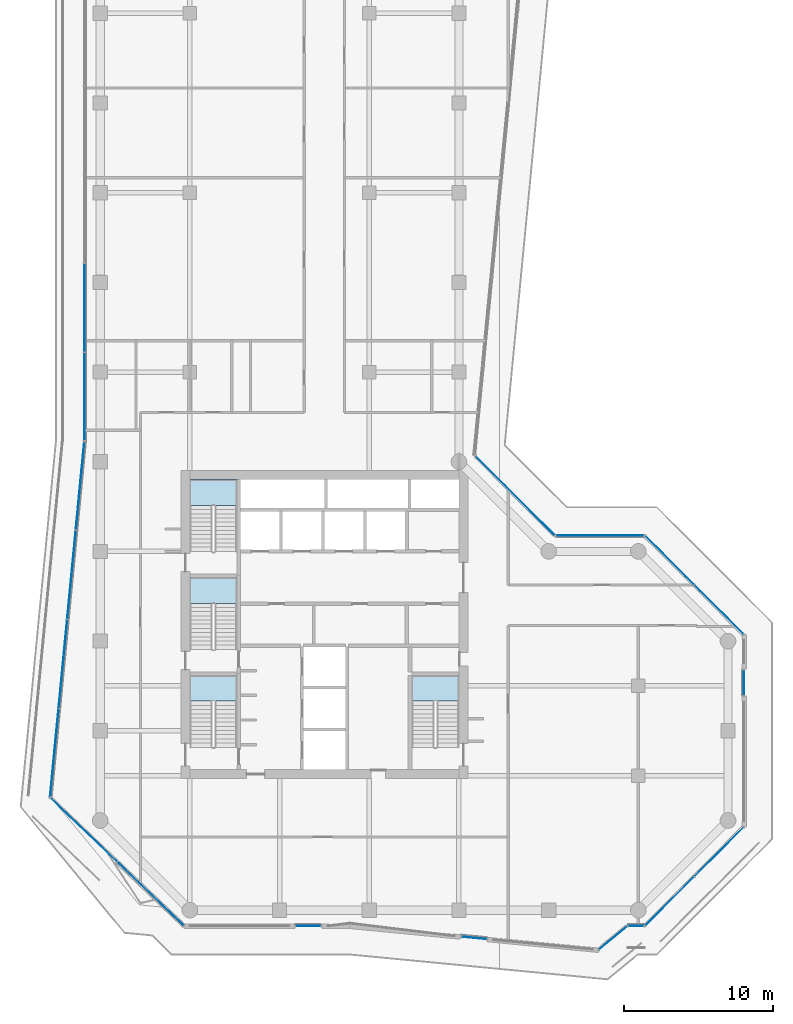
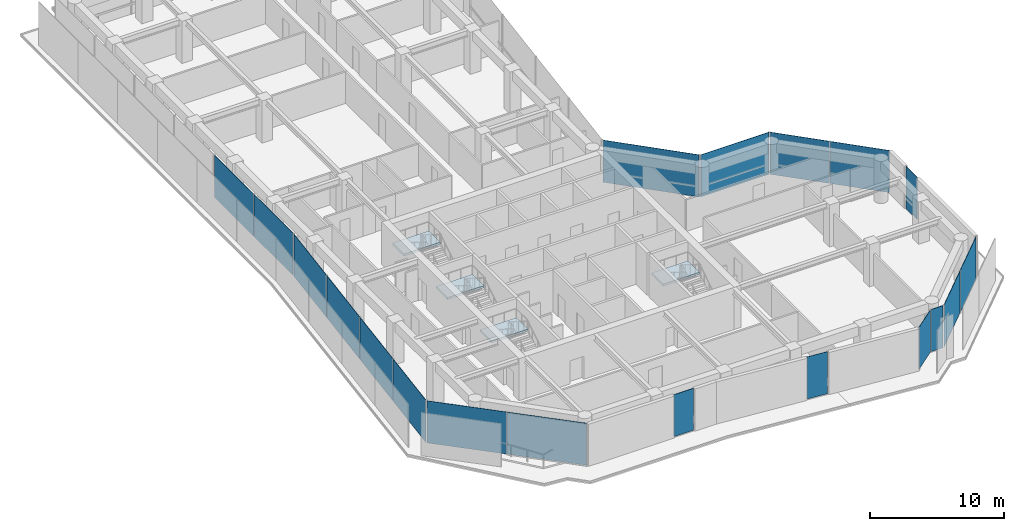
# One storey, part 17 of 23: 19 plates, 4 slabs, 16 elements without a shape of their own.
"""IFC4 building model written with IfcOpenShell, lengths in metres."""

from ifc_helpers import new_model, si_unit, direction, frame, origin, origin_2d, place, context, subcontext, project, spatial, polyline, rectangle, outline, extrude, material, layer, layer_set, type_object, element, aggregate, save


model = new_model("IFC4")

# Units and contexts
model_context = context("Model", 3, precision=1e-05, world=origin(), true_north=direction((0.0, 1.0)))
body_context = subcontext(model_context, "Body", "Model", "MODEL_VIEW")
ifc_project = project(units=[si_unit("LENGTHUNIT", "METRE"), si_unit("AREAUNIT", "SQUARE_METRE"), si_unit("VOLUMEUNIT", "CUBIC_METRE"), si_unit("PLANEANGLEUNIT", "RADIAN"), si_unit("MASSUNIT", "GRAM", prefix="KILO")], contexts=[model_context])

# Site, building, storey
site_placement = place(None, origin())
site = spatial("IfcSite", under=ifc_project, at=site_placement, CompositionType="ELEMENT")
building_placement = place(site_placement, origin())
building = spatial("IfcBuilding", under=site, at=building_placement, Name="Welwitschia Terrace Campus", CompositionType="ELEMENT")
storey_placement = place(building_placement, frame((0.0, 0.0, 146.60009765625)))
storey = spatial("IfcBuildingStorey", under=building, at=storey_placement, Name="L32", CompositionType="ELEMENT", Elevation=146.60009765625)

# Curtain wall, plates
ifc_material_1 = material(Name="Bronze anodised aluminium", Category="aluminium")
ifc_layer_1 = layer(ifc_material_1, 0.1201171875)
ifc_layer_set_1 = layer_set([ifc_layer_1], Name="Bronze anodised aluminium")
curtain_wall_type = type_object("IfcCurtainWallType", Name="Curtain wall CW2 tower 6000", PredefinedType="NOTDEFINED", material=ifc_layer_set_1)
curtain_wall_1_placement = place(storey_placement, origin())
curtain_wall_1 = element("IfcCurtainWall", 1, at=curtain_wall_1_placement, inside=storey, type_object=curtain_wall_type, Name="CW L32.0.0", PredefinedType="NOTDEFINED")
ifc_material_2 = material(Name="Tinted bronze-grey glass", Category="glass")
ifc_layer_2 = layer(ifc_material_2, 0.028076171875)
ifc_layer_set_2 = layer_set([ifc_layer_2], Name="Tinted bronze-grey glass")
plate_type = type_object("IfcPlateType", Name="Glass panel 28 tinted", PredefinedType="CURTAIN_PANEL", material=ifc_layer_set_2)
plate_1_placement = place(storey_placement, frame((-1.05810546875, 36.295654296875, -0.000244140625), z_axis=(0.0, 0.0, 1.0), x_axis=(0.0, -1.0, 0.0)))
plate_1 = element("IfcPlate", 2, at=plate_1_placement, type_object=plate_type, Name="Panel L32.0.0.4", PredefinedType="CURTAIN_PANEL", context=body_context, shape_type="SweptSolid", body=[
    extrude(rectangle(XDim=5.88720703125, YDim=0.028076171875, at=origin_2d()), origin(), (0.0, 0.0, 1.0), 3.85009765625),
])
plate_2_placement = place(storey_placement, frame((-1.05810546875, 30.363525390625, -0.000244140625), z_axis=(0.0, 0.0, 1.0), x_axis=(0.0, -1.0, 0.0)))
plate_2 = element("IfcPlate", 3, at=plate_2_placement, type_object=plate_type, Name="Panel L32.0.0.5", PredefinedType="CURTAIN_PANEL", context=body_context, shape_type="SweptSolid", body=[
    extrude(rectangle(XDim=5.857177734375, YDim=0.028076171875, at=origin_2d()), origin(), (0.0, 0.0, 1.0), 3.85009765625),
])
aggregate(curtain_wall_1, [plate_1, plate_2])

curtain_wall_2_placement = place(storey_placement, origin())
curtain_wall_2 = element("IfcCurtainWall", 4, at=curtain_wall_2_placement, inside=storey, type_object=curtain_wall_type, Name="CW L32.1.0", PredefinedType="NOTDEFINED")
plate_3_placement = place(storey_placement, frame((-1.346435546875, 24.378662109375, -0.000244140625), z_axis=(0.0, 0.0, 1.0), x_axis=(-0.09584575252, -0.995396198367, 0.0)))
plate_3 = element("IfcPlate", 5, at=plate_3_placement, type_object=plate_type, Name="Panel L32.1.0.0", PredefinedType="CURTAIN_PANEL", context=body_context, shape_type="SweptSolid", body=[
    extrude(rectangle(XDim=5.900390625, YDim=0.028076171875, at=origin_2d()), origin(), (0.0, 0.0, 1.0), 3.85009765625),
])
plate_4_placement = place(storey_placement, frame((-1.919189453125, 18.4306640625, -0.000244140625), z_axis=(0.0, 0.0, 1.0), x_axis=(-0.09584575252, -0.995396198367, 0.0)))
plate_4 = element("IfcPlate", 6, at=plate_4_placement, type_object=plate_type, Name="Panel L32.1.0.1", PredefinedType="CURTAIN_PANEL", context=body_context, shape_type="SweptSolid", body=[
    extrude(rectangle(XDim=5.930419921875, YDim=0.028076171875, at=origin_2d()), origin(), (0.0, 0.0, 1.0), 3.85009765625),
])
plate_5_placement = place(storey_placement, frame((-2.493408203125, 12.4677734375, -0.000244140625), z_axis=(0.0, 0.0, 1.0), x_axis=(-0.09584575252, -0.995396198367, 0.0)))
plate_5 = element("IfcPlate", 7, at=plate_5_placement, type_object=plate_type, Name="Panel L32.1.0.2", PredefinedType="CURTAIN_PANEL", context=body_context, shape_type="SweptSolid", body=[
    extrude(rectangle(XDim=5.930419921875, YDim=0.028076171875, at=origin_2d()), origin(), (0.0, 0.0, 1.0), 3.85009765625),
])
plate_6_placement = place(storey_placement, frame((-3.066162109375, 6.519775390625, -0.000244140625), z_axis=(0.0, 0.0, 1.0), x_axis=(-0.09584575252, -0.995396198367, 0.0)))
plate_6 = element("IfcPlate", 8, at=plate_6_placement, type_object=plate_type, Name="Panel L32.1.0.3", PredefinedType="CURTAIN_PANEL", context=body_context, shape_type="SweptSolid", body=[
    extrude(rectangle(XDim=5.900390625, YDim=0.028076171875, at=origin_2d()), origin(), (0.0, 0.0, 1.0), 3.85009765625),
])
aggregate(curtain_wall_2, [plate_3, plate_4, plate_5, plate_6])

curtain_wall_3_placement = place(storey_placement, origin())
curtain_wall_3 = element("IfcCurtainWall", 9, at=curtain_wall_3_placement, inside=storey, type_object=curtain_wall_type, Name="CW L32.2.0", PredefinedType="NOTDEFINED")
plate_7_placement = place(storey_placement, frame((-1.101318359375, 1.36767578125, -0.000244140625), z_axis=(0.0, 0.0, 1.0), x_axis=(0.722587544279, -0.691279423137, 0.0)))
plate_7 = element("IfcPlate", 10, at=plate_7_placement, type_object=plate_type, Name="Panel L32.2.0.0", PredefinedType="CURTAIN_PANEL", context=body_context, shape_type="SweptSolid", body=[
    extrude(rectangle(XDim=6.116943359375, YDim=0.028076171875, at=origin_2d()), origin(), (0.0, 0.0, 1.0), 3.85009765625),
])
plate_8_placement = place(storey_placement, frame((3.362060546875, -2.90234375, -0.000244140625), z_axis=(0.0, 0.0, 1.0), x_axis=(0.722587544279, -0.691279423137, 0.0)))
plate_8 = element("IfcPlate", 11, at=plate_8_placement, type_object=plate_type, Name="Panel L32.2.0.1", PredefinedType="CURTAIN_PANEL", context=body_context, shape_type="SweptSolid", body=[
    extrude(rectangle(XDim=6.116943359375, YDim=0.028076171875, at=origin_2d()), origin(), (0.0, 0.0, 1.0), 3.85009765625),
])
aggregate(curtain_wall_3, [plate_7, plate_8])

# Curtain wall, plate
curtain_wall_4_placement = place(storey_placement, origin())
curtain_wall_4 = element("IfcCurtainWall", 12, at=curtain_wall_4_placement, inside=storey, type_object=curtain_wall_type, Name="CW L32.3.S0", PredefinedType="NOTDEFINED")
plate_9_placement = place(storey_placement, frame((13.929443359375, -5.05810546875, -0.000244140625), z_axis=(0.0, 0.0, 1.0), x_axis=(1.0, 0.0, 0.0)))
plate_9 = element("IfcPlate", 13, at=plate_9_placement, type_object=plate_type, Name="Panel L32.3.S0.0", PredefinedType="CURTAIN_PANEL", context=body_context, shape_type="SweptSolid", body=[
    extrude(rectangle(XDim=1.679931640625, YDim=0.028076171875, at=origin_2d()), origin(), (0.0, 0.0, 1.0), 3.85009765625),
])
aggregate(curtain_wall_4, [plate_9])

curtain_wall_5_placement = place(storey_placement, origin())
curtain_wall_5 = element("IfcCurtainWall", 14, at=curtain_wall_5_placement, inside=storey, type_object=curtain_wall_type, Name="CW L32.4.S0", PredefinedType="NOTDEFINED")
plate_10_placement = place(storey_placement, frame((25.017578125, -5.85888671875, -0.000244140625), z_axis=(0.0, 0.0, 1.0), x_axis=(0.995396198367, -0.09584575252, 0.0)))
plate_10 = element("IfcPlate", 15, at=plate_10_placement, type_object=plate_type, Name="Panel L32.4.S0.0", PredefinedType="CURTAIN_PANEL", context=body_context, shape_type="SweptSolid", body=[
    extrude(rectangle(XDim=1.679931640625, YDim=0.028076171875, at=origin_2d()), origin(), (0.0, 0.0, 1.0), 3.85009765625),
])
aggregate(curtain_wall_5, [plate_10])

curtain_wall_6_placement = place(storey_placement, origin())
curtain_wall_6 = element("IfcCurtainWall", 16, at=curtain_wall_6_placement, inside=storey, type_object=curtain_wall_type, Name="CW L32.5.0", PredefinedType="NOTDEFINED")
plate_11_placement = place(storey_placement, frame((34.305908203125, -5.85888671875, -0.000244140625), z_axis=(0.0, 0.0, 1.0), x_axis=(0.771624583388, 0.636078220278, 0.0)))
plate_11 = element("IfcPlate", 17, at=plate_11_placement, type_object=plate_type, Name="Panel L32.5.0.0", PredefinedType="CURTAIN_PANEL", context=body_context, shape_type="SweptSolid", body=[
    extrude(rectangle(XDim=2.39794921875, YDim=0.028076171875, at=origin_2d()), origin(), (0.0, 0.0, 1.0), 3.85009765625),
])
aggregate(curtain_wall_6, [plate_11])

curtain_wall_7_placement = place(storey_placement, origin())
curtain_wall_7 = element("IfcCurtainWall", 18, at=curtain_wall_7_placement, inside=storey, type_object=curtain_wall_type, Name="CW L32.6.0", PredefinedType="NOTDEFINED")
plate_12_placement = place(storey_placement, frame((35.85791015625, -5.05810546875, -0.000244140625), z_axis=(0.0, 0.0, 1.0), x_axis=(1.0, 0.0, 0.0)))
plate_12 = element("IfcPlate", 19, at=plate_12_placement, type_object=plate_type, Name="Panel L32.6.0.0", PredefinedType="CURTAIN_PANEL", context=body_context, shape_type="SweptSolid", body=[
    extrude(rectangle(XDim=1.040771484375, YDim=0.028076171875, at=origin_2d()), origin(), (0.0, 0.0, 1.0), 3.85009765625),
])
aggregate(curtain_wall_7, [plate_12])

# Curtain wall, plates
curtain_wall_8_placement = place(storey_placement, origin())
curtain_wall_8 = element("IfcCurtainWall", 20, at=curtain_wall_8_placement, inside=storey, type_object=curtain_wall_type, Name="CW L32.7.0", PredefinedType="NOTDEFINED")
plate_13_placement = place(storey_placement, frame((38.103759765625, -3.392333984375, -0.000244140625), z_axis=(0.0, 0.0, 1.0), x_axis=(0.707106781187, 0.707106781187, 0.0)))
plate_13 = element("IfcPlate", 21, at=plate_13_placement, type_object=plate_type, Name="Panel L32.7.0.0", PredefinedType="CURTAIN_PANEL", context=body_context, shape_type="SweptSolid", body=[
    extrude(rectangle(XDim=4.5908203125, YDim=0.028076171875, at=origin_2d()), origin(), (0.0, 0.0, 1.0), 3.85009765625),
])
plate_14_placement = place(storey_placement, frame((41.392333984375, -0.103759765625, -0.000244140625), z_axis=(0.0, 0.0, 1.0), x_axis=(0.707106781187, 0.707106781187, 0.0)))
plate_14 = element("IfcPlate", 22, at=plate_14_placement, type_object=plate_type, Name="Panel L32.7.0.1", PredefinedType="CURTAIN_PANEL", context=body_context, shape_type="SweptSolid", body=[
    extrude(rectangle(XDim=4.5908203125, YDim=0.028076171875, at=origin_2d()), origin(), (0.0, 0.0, 1.0), 3.85009765625),
])
aggregate(curtain_wall_8, [plate_13, plate_14])

# Curtain wall, plate
curtain_wall_9_placement = place(storey_placement, origin())
curtain_wall_9 = element("IfcCurtainWall", 23, at=curtain_wall_9_placement, inside=storey, type_object=curtain_wall_type, Name="CW L32.8.S0", PredefinedType="NOTDEFINED")
plate_15_placement = place(storey_placement, frame((43.05810546875, 11.21923828125, -0.000244140625), z_axis=(0.0, 0.0, 1.0), x_axis=(0.0, 1.0, 0.0)))
plate_15 = element("IfcPlate", 24, at=plate_15_placement, type_object=plate_type, Name="Panel L32.8.S0.0", PredefinedType="CURTAIN_PANEL", context=body_context, shape_type="SweptSolid", body=[
    extrude(rectangle(XDim=1.679931640625, YDim=0.028076171875, at=origin_2d()), origin(), (0.0, 0.0, 1.0), 3.85009765625),
])
aggregate(curtain_wall_9, [plate_15])

# Curtain wall, plates
curtain_wall_10_placement = place(storey_placement, origin())
curtain_wall_10 = element("IfcCurtainWall", 25, at=curtain_wall_10_placement, inside=storey, type_object=curtain_wall_type, Name="CW L32.9.0", PredefinedType="NOTDEFINED")
plate_16_placement = place(storey_placement, frame((41.392333984375, 16.103759765625, -0.000244140625), z_axis=(0.0, 0.0, 1.0), x_axis=(-0.707106781187, 0.707106781187, 0.0)))
plate_16 = element("IfcPlate", 26, at=plate_16_placement, type_object=plate_type, Name="Panel L32.9.0.0", PredefinedType="CURTAIN_PANEL", context=body_context, shape_type="SweptSolid", body=[
    extrude(rectangle(XDim=4.5908203125, YDim=0.028076171875, at=origin_2d()), origin(), (0.0, 0.0, 1.0), 3.85009765625),
])
plate_17_placement = place(storey_placement, frame((38.103759765625, 19.392333984375, -0.000244140625), z_axis=(0.0, 0.0, 1.0), x_axis=(-0.707106781187, 0.707106781187, 0.0)))
plate_17 = element("IfcPlate", 27, at=plate_17_placement, type_object=plate_type, Name="Panel L32.9.0.1", PredefinedType="CURTAIN_PANEL", context=body_context, shape_type="SweptSolid", body=[
    extrude(rectangle(XDim=4.5908203125, YDim=0.028076171875, at=origin_2d()), origin(), (0.0, 0.0, 1.0), 3.85009765625),
])
aggregate(curtain_wall_10, [plate_16, plate_17])

# Curtain wall, plate
curtain_wall_11_placement = place(storey_placement, origin())
curtain_wall_11 = element("IfcCurtainWall", 28, at=curtain_wall_11_placement, inside=storey, type_object=curtain_wall_type, Name="CW L32.10.0", PredefinedType="NOTDEFINED")
plate_18_placement = place(storey_placement, frame((33.438232421875, 21.05810546875, -0.000244140625), z_axis=(0.0, 0.0, 1.0), x_axis=(-1.0, 0.0, 0.0)))
plate_18 = element("IfcPlate", 29, at=plate_18_placement, type_object=plate_type, Name="Panel L32.10.0.0", PredefinedType="CURTAIN_PANEL", context=body_context, shape_type="SweptSolid", body=[
    extrude(rectangle(XDim=5.8798828125, YDim=0.028076171875, at=origin_2d()), origin(), (0.0, 0.0, 1.0), 3.85009765625),
])
aggregate(curtain_wall_11, [plate_18])

curtain_wall_12_placement = place(storey_placement, origin())
curtain_wall_12 = element("IfcCurtainWall", 30, at=curtain_wall_12_placement, inside=storey, type_object=curtain_wall_type, Name="CW L32.11.0", PredefinedType="NOTDEFINED")
plate_19_placement = place(storey_placement, frame((27.761962890625, 23.734130859375, -0.000244140625), z_axis=(0.0, 0.0, 1.0), x_axis=(-0.707106781187, 0.707106781187, 0.0)))
plate_19 = element("IfcPlate", 31, at=plate_19_placement, type_object=plate_type, Name="Panel L32.11.0.0", PredefinedType="CURTAIN_PANEL", context=body_context, shape_type="SweptSolid", body=[
    extrude(rectangle(XDim=7.44921875, YDim=0.028076171875, at=origin_2d()), origin(), (0.0, 0.0, 1.0), 3.85009765625),
])
aggregate(curtain_wall_12, [plate_19])

# Stair, slab
ifc_material_3 = material(Name="Concrete C40/50", Category="concrete")
stair_type = type_object("IfcStairType", Name="Stair 24R 175 W1500", PredefinedType="HALF_TURN_STAIR", material=ifc_material_3)
stair_1_placement = place(storey_placement, origin())
stair_1 = element("IfcStair", 32, at=stair_1_placement, inside=storey, type_object=stair_type, Name="L32 Exit stair S1", PredefinedType="HALF_TURN_STAIR")
ifc_material_4 = material(Name="Concrete C40/50", Category="concrete")
ifc_layer_3 = layer(ifc_material_4, 0.199951171875)
ifc_layer_set_3 = layer_set([ifc_layer_3], Name="Concrete C40/50")
slab_type = type_object("IfcSlabType", Name="Stair landing RC", PredefinedType="LANDING", material=ifc_layer_set_3)
slab_1_placement = place(storey_placement, frame((0.0, 0.0, 1.89990234375)))
slab_1 = element("IfcSlab", 33, at=slab_1_placement, type_object=slab_type, Name="S1 landing 1", PredefinedType="LANDING", context=body_context, shape_type="SweptSolid", body=[
    extrude(outline(polyline([(9.14990234375, 9.97998046875), (9.14990234375, 11.699951171875), (6.0, 11.699951171875), (6.0, 9.97998046875), (9.14990234375, 9.97998046875)])), origin(), (0.0, 0.0, 1.0), 0.199951171875),
])
aggregate(stair_1, [slab_1])

stair_2_placement = place(storey_placement, origin())
stair_2 = element("IfcStair", 34, at=stair_2_placement, inside=storey, type_object=stair_type, Name="L32 Exit stair S3", PredefinedType="HALF_TURN_STAIR")
slab_2_placement = place(storey_placement, frame((0.0, 0.0, 1.89990234375)))
slab_2 = element("IfcSlab", 35, at=slab_2_placement, type_object=slab_type, Name="S3 landing 1", PredefinedType="LANDING", context=body_context, shape_type="SweptSolid", body=[
    extrude(outline(polyline([(9.14990234375, 16.530029296875), (9.14990234375, 18.25), (6.0, 18.25), (6.0, 16.530029296875), (9.14990234375, 16.530029296875)])), origin(), (0.0, 0.0, 1.0), 0.199951171875),
])
aggregate(stair_2, [slab_2])

stair_3_placement = place(storey_placement, origin())
stair_3 = element("IfcStair", 36, at=stair_3_placement, inside=storey, type_object=stair_type, Name="L32 Exit stair S4", PredefinedType="HALF_TURN_STAIR")
slab_3_placement = place(storey_placement, frame((0.0, 0.0, 1.89990234375)))
slab_3 = element("IfcSlab", 37, at=slab_3_placement, type_object=slab_type, Name="S4 landing 1", PredefinedType="LANDING", context=body_context, shape_type="SweptSolid", body=[
    extrude(outline(polyline([(9.14990234375, 23.080078125), (9.14990234375, 24.800048828125), (6.0, 24.800048828125), (6.0, 23.080078125), (9.14990234375, 23.080078125)])), origin(), (0.0, 0.0, 1.0), 0.199951171875),
])
aggregate(stair_3, [slab_3])

stair_4_placement = place(storey_placement, origin())
stair_4 = element("IfcStair", 38, at=stair_4_placement, inside=storey, type_object=stair_type, Name="L32 Exit stair S2", PredefinedType="HALF_TURN_STAIR")
slab_4_placement = place(storey_placement, frame((0.0, 0.0, 1.89990234375)))
slab_4 = element("IfcSlab", 39, at=slab_4_placement, type_object=slab_type, Name="S2 landing 1", PredefinedType="LANDING", context=body_context, shape_type="SweptSolid", body=[
    extrude(outline(polyline([(24.0, 9.97998046875), (24.0, 11.699951171875), (20.85009765625, 11.699951171875), (20.85009765625, 9.97998046875), (24.0, 9.97998046875)])), origin(), (0.0, 0.0, 1.0), 0.199951171875),
])
aggregate(stair_4, [slab_4])

save(model, "model.ifc")
